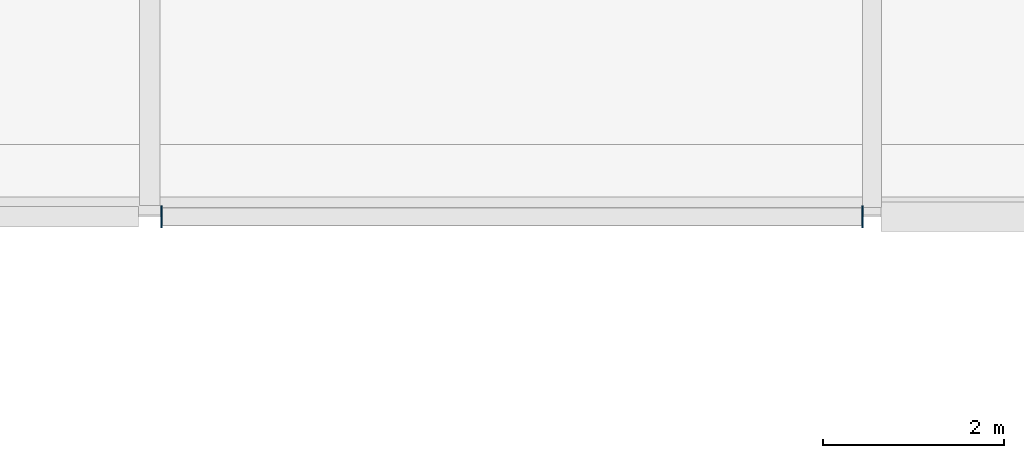
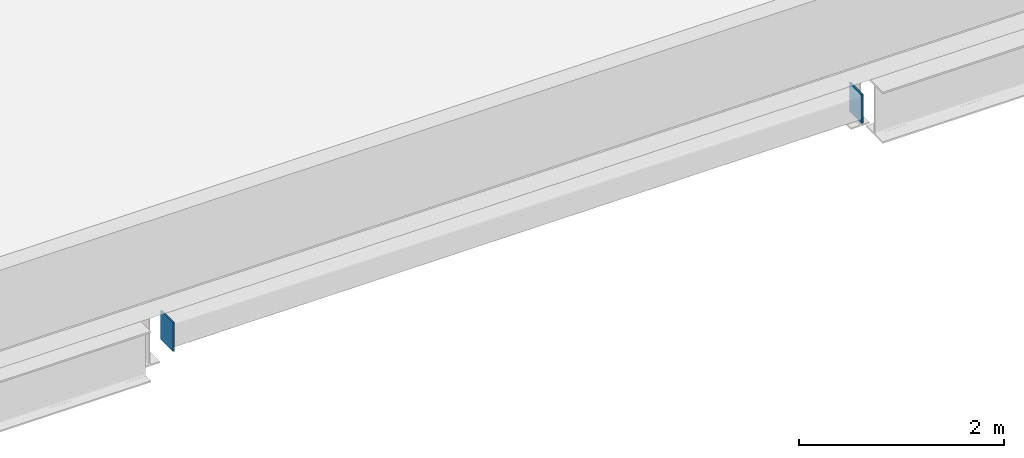
# One storey, part 117 of 153: 2 plates.
"""IFC4 building model written with IfcOpenShell, lengths in metres."""

from ifc_helpers import new_model, si_unit, direction, frame, origin, origin_2d, place, context, subcontext, project, spatial, rectangle, extrude, material, layer, layer_set, type_object, element, save


model = new_model("IFC4")

# Units and contexts
model_context = context("Model", 3, precision=1e-05, world=origin(), true_north=direction((0.0, 1.0)))
body_context = subcontext(model_context, "Body", "Model", "MODEL_VIEW")
ifc_project = project(units=[si_unit("LENGTHUNIT", "METRE"), si_unit("AREAUNIT", "SQUARE_METRE"), si_unit("VOLUMEUNIT", "CUBIC_METRE"), si_unit("PLANEANGLEUNIT", "RADIAN"), si_unit("MASSUNIT", "GRAM", prefix="KILO")], contexts=[model_context])

# Site, building, storey
site_placement = place(None, origin())
site = spatial("IfcSite", under=ifc_project, at=site_placement, CompositionType="ELEMENT")
building_placement = place(site_placement, origin())
building = spatial("IfcBuilding", under=site, at=building_placement, Name="Calvrana Isthmian Art Gallery", CompositionType="ELEMENT")
storey_placement = place(building_placement, frame((0.0, 0.0, 10.199951171875)))
storey = spatial("IfcBuildingStorey", under=building, at=storey_placement, Name="L02", CompositionType="ELEMENT", Elevation=10.199951171875)

# Plates
ifc_material = material(Name="Steel ASTM A572 Gr 50", Category="steel")
ifc_layer = layer(ifc_material, 0.01611328125, Name="Steel ASTM A572 Gr 50")
ifc_layer_set = layer_set([ifc_layer], Name="Steel ASTM A572 Gr 50")
plate_type = type_object("IfcPlateType", Name="PL-CAP-16", PredefinedType="SHEET", material=ifc_layer_set)
for number, where, z_axis, x_axis, name in (
    (1, (96.527099609375, 46.800048828125, -0.589599609375), (0.0, 0.0, 1.0), (1.0, 0.0, 0.0), "Hollow section end cap plate 455"),
    (2, (104.29833984375, 46.800048828125, -0.589599609375), (0.0, 0.0, 1.0), (1.0, 0.0, 0.0), "Hollow section end cap plate 456"),
):
    element("IfcPlate", number, at=place(storey_placement, frame(where, z_axis=z_axis, x_axis=x_axis)), inside=storey, type_object=plate_type, Name=name, PredefinedType="SHEET", context=body_context, shape_type="SweptSolid", body=[
        extrude(rectangle(XDim=0.01611328125, YDim=0.2431640625, at=origin_2d()), origin(), (0.0, 0.0, 1.0), 0.3447265625),
    ])

save(model, "model.ifc")
